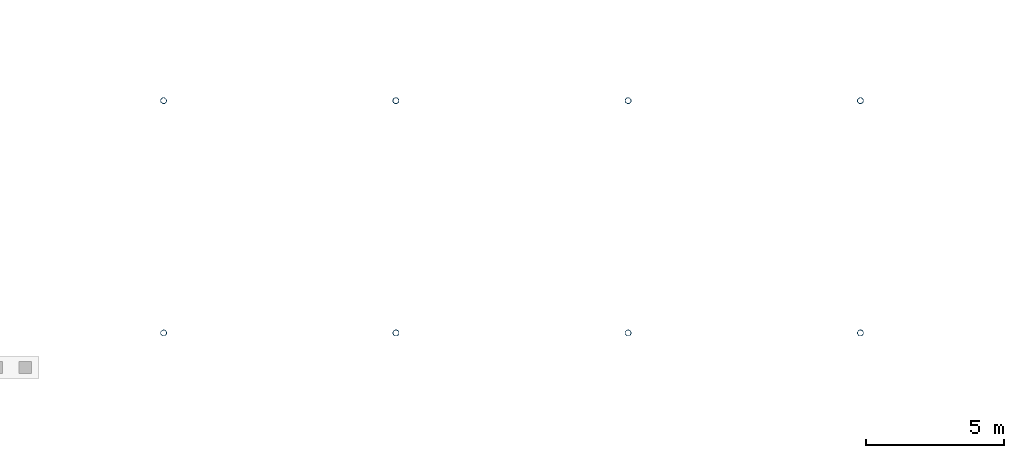
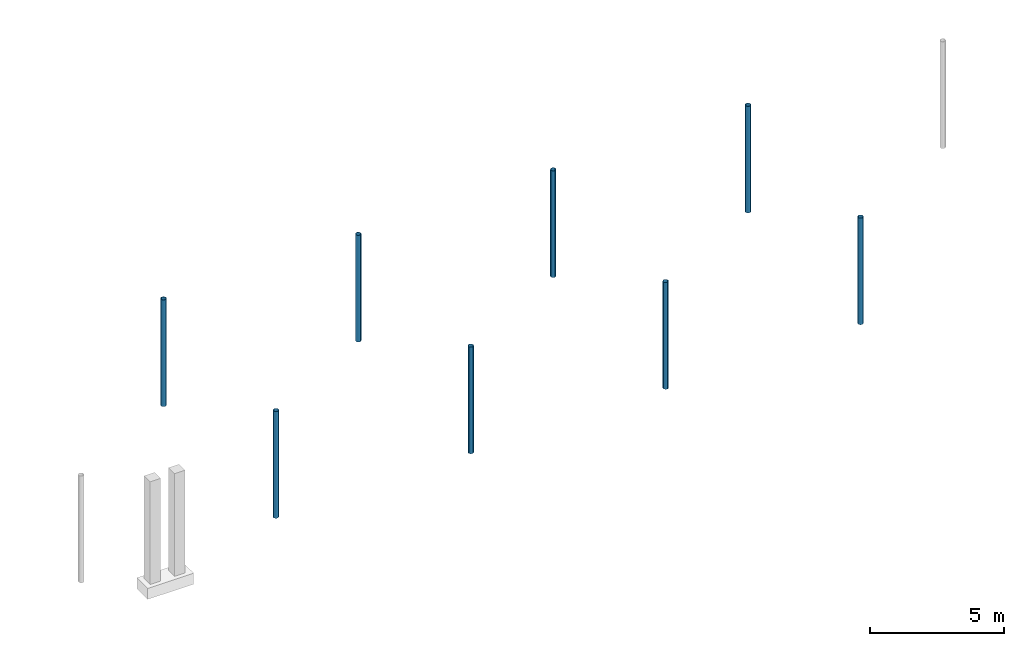
# One storey, part 21 of 39: 8 columns.
"""IFC4 building model written with IfcOpenShell, lengths in metres."""

from ifc_helpers import new_model, si_unit, derived_unit, direction, frame, origin, origin_2d, place, context, subcontext, project, spatial, hollow_circle, extrude, material, material_profile, profile_set, type_object, element, save


model = new_model("IFC4")

# Units and contexts
model_context = context("Model", 3, precision=1e-05, world=origin(), true_north=direction((0.0, 1.0)))
body_context = subcontext(model_context, "Body", "Model", "MODEL_VIEW")
ifc_project = project(units=[si_unit("LENGTHUNIT", "METRE"), si_unit("AREAUNIT", "SQUARE_METRE"), si_unit("VOLUMEUNIT", "CUBIC_METRE"), si_unit("PLANEANGLEUNIT", "RADIAN"), si_unit("MASSUNIT", "GRAM", prefix="KILO"), derived_unit("THERMALTRANSMITTANCEUNIT", [(si_unit("POWERUNIT", "WATT"), 1), (si_unit("LENGTHUNIT", "METRE"), -2), (si_unit("THERMODYNAMICTEMPERATUREUNIT", "KELVIN"), -1)])], contexts=[model_context])

# Site, building, storey
site_placement = place(None, origin())
site = spatial("IfcSite", under=ifc_project, at=site_placement, CompositionType="ELEMENT")
building_placement = place(site_placement, origin())
building = spatial("IfcBuilding", under=site, at=building_placement, Name="Barrovel Congress Hotel", CompositionType="ELEMENT")
storey_placement = place(building_placement, frame((0.0, 0.0, -4.5)))
storey = spatial("IfcBuildingStorey", under=building, at=storey_placement, Name="B01", CompositionType="ELEMENT", Elevation=-4.5)

# Columns
ifc_material = material(Name="Steel ASTM A500 Grade C", Category="steel")
ifc_material_profile = material_profile(ifc_material, hollow_circle(Radius=0.109619140625, WallThickness=0.0087890625, at=origin_2d()), Name="CHS219.1x9.5")
ifc_profile_set = profile_set([ifc_material_profile], Name="Steel ASTM A500 Grade C")
column_type = type_object("IfcColumnType", Name="SCOL-CHS219.1x9.5", PredefinedType="COLUMN", material=ifc_profile_set)
for number, where, z_axis, x_axis, name in (
    (1, (67.199951171875, 96.60009765625, -0.360107421875), (0.0, 0.0, 1.0), (1.0, 0.0, 0.0), "COL:B01:67.2:96.6"),
    (2, (67.199951171875, 105.0, -0.360107421875), (0.0, 0.0, 1.0), (1.0, 0.0, 0.0), "COL:B01:67.2:105.0"),
    (3, (75.60009765625, 96.60009765625, -0.360107421875), (0.0, 0.0, 1.0), (1.0, 0.0, 0.0), "COL:B01:75.6:96.6"),
    (4, (75.60009765625, 105.0, -0.360107421875), (0.0, 0.0, 1.0), (1.0, 0.0, 0.0), "COL:B01:75.6:105.0"),
    (5, (84.0, 96.60009765625, -0.360107421875), (0.0, 0.0, 1.0), (1.0, 0.0, 0.0), "COL:B01:84.0:96.6"),
    (6, (84.0, 105.0, -0.360107421875), (0.0, 0.0, 1.0), (1.0, 0.0, 0.0), "COL:B01:84.0:105.0"),
    (7, (92.39990234375, 96.60009765625, -0.360107421875), (0.0, 0.0, 1.0), (1.0, 0.0, 0.0), "COL:B01:92.4:96.6"),
    (8, (92.39990234375, 105.0, -0.360107421875), (0.0, 0.0, 1.0), (1.0, 0.0, 0.0), "COL:B01:92.4:105.0"),
):
    element("IfcColumn", number, at=place(storey_placement, frame(where, z_axis=z_axis, x_axis=x_axis)), inside=storey, type_object=column_type, Name=name, PredefinedType="COLUMN", context=body_context, shape_type="SweptSolid", body=[
        extrude(hollow_circle(Radius=0.109619140625, WallThickness=0.0087890625, at=origin_2d()), origin(), (0.0, 0.0, 1.0), 4.860107421875),
    ])

save(model, "model.ifc")
